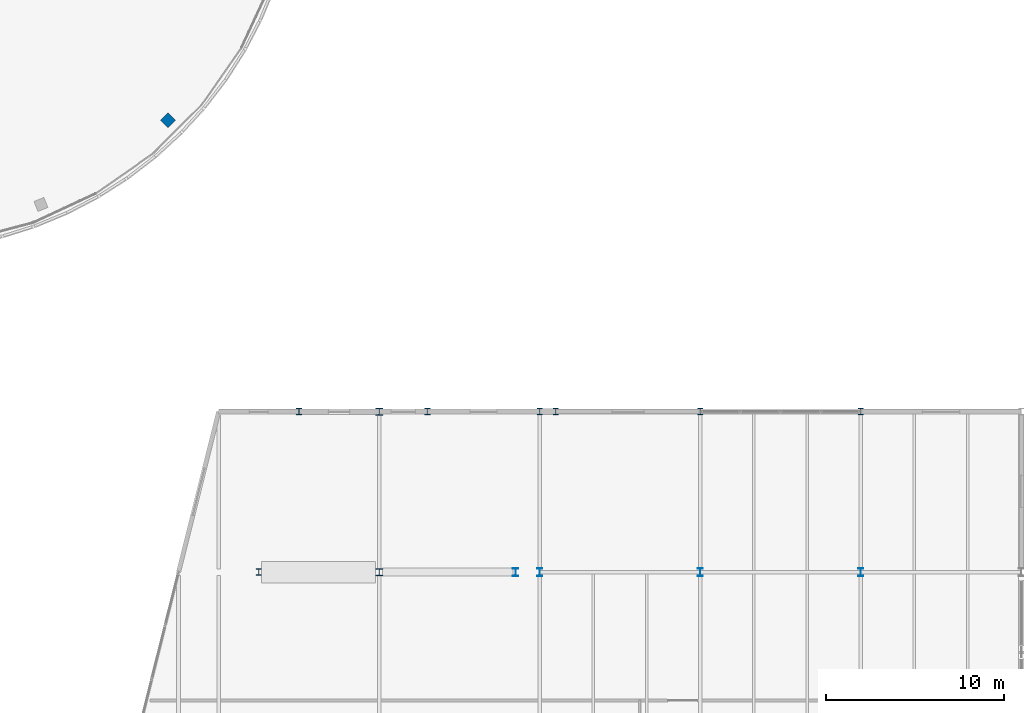
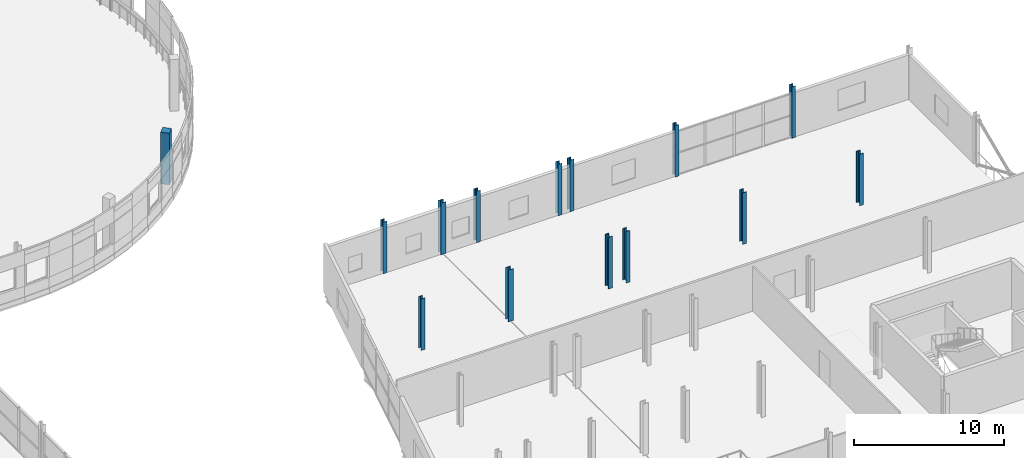
# One storey, part 17 of 132: 14 columns.
"""IFC4 building model written with IfcOpenShell, lengths in metres."""

from ifc_helpers import new_model, si_unit, direction, frame, origin, origin_2d, place, context, subcontext, project, spatial, rectangle, i_section, extrude, material, material_profile, profile_set, type_object, element, save


model = new_model("IFC4")

# Units and contexts
model_context = context("Model", 3, precision=1e-05, world=origin(), true_north=direction((0.0, 1.0)))
body_context = subcontext(model_context, "Body", "Model", "MODEL_VIEW")
ifc_project = project(units=[si_unit("LENGTHUNIT", "METRE"), si_unit("AREAUNIT", "SQUARE_METRE"), si_unit("VOLUMEUNIT", "CUBIC_METRE"), si_unit("PLANEANGLEUNIT", "RADIAN"), si_unit("MASSUNIT", "GRAM", prefix="KILO")], contexts=[model_context])

# Site, building, storey
site_placement = place(None, origin())
site = spatial("IfcSite", under=ifc_project, at=site_placement, CompositionType="ELEMENT")
building_placement = place(site_placement, origin())
building = spatial("IfcBuilding", under=site, at=building_placement, Name="Deido Ridge Mobility Hub", CompositionType="ELEMENT")
storey_placement = place(building_placement, frame((0.0, 0.0, 8.39990234375)))
storey = spatial("IfcBuildingStorey", under=building, at=storey_placement, Name="L02", CompositionType="ELEMENT", Elevation=8.39990234375)

# Columns
ifc_material_1 = material(Name="Steel S355J2 EN 10025-2", Category="steel")
ifc_material_profile_1 = material_profile(ifc_material_1, i_section(OverallWidth=0.39892578125, OverallDepth=0.39306640625, WebThickness=0.017578125, FlangeThickness=0.028076171875, FilletRadius=0.014892578125, at=origin_2d()), Name="HD 400x287")
ifc_profile_set_1 = profile_set([ifc_material_profile_1], Name="Steel S355J2 EN 10025-2")
column_type_1 = type_object("IfcColumnType", Name="COL-HD400-287", PredefinedType="COLUMN", material=ifc_profile_set_1)
for number, where, z_axis, x_axis, name in (
    (1, (144.0, 63.0, 0.0), (0.0, 0.0, 1.0), (1.0, 0.0, 0.0), "Structural column C2"),
    (2, (144.0, 72.0, 0.0), (0.0, 0.0, 1.0), (1.0, 0.0, 0.0), "Structural column C2"),
):
    element("IfcColumn", number, at=place(storey_placement, frame(where, z_axis=z_axis, x_axis=x_axis)), inside=storey, type_object=column_type_1, Name=name, PredefinedType="COLUMN", context=body_context, shape_type="SweptSolid", body=[
        extrude(i_section(OverallWidth=0.39892578125, OverallDepth=0.39306640625, WebThickness=0.017578125, FlangeThickness=0.028076171875, FilletRadius=0.014892578125, at=origin_2d()), origin(), (0.0, 0.0, 1.0), 4.2001953125),
    ])
ifc_material_profile_2 = material_profile(ifc_material_1, i_section(OverallWidth=0.300048828125, OverallDepth=0.360107421875, WebThickness=0.012451171875, FlangeThickness=0.0224609375, FilletRadius=0.027099609375, at=origin_2d()), Name="HEB 360")
ifc_profile_set_2 = profile_set([ifc_material_profile_2], Name="Steel S355J2 EN 10025-2")
column_type_2 = type_object("IfcColumnType", Name="COL-HEB360", PredefinedType="COLUMN", material=ifc_profile_set_2)
for number, where, z_axis, x_axis, name in (
    (3, (137.25, 63.0, 0.0), (0.0, 0.0, 1.0), (1.0, 0.0, 0.0), "Structural column C8"),
    (4, (139.5, 72.0, 0.0), (0.0, 0.0, 1.0), (1.0, 0.0, 0.0), "Structural column C8"),
    (5, (146.699951171875, 72.0, 0.0), (0.0, 0.0, 1.0), (1.0, 0.0, 0.0), "Structural column C8"),
    (6, (153.0, 72.0, 0.0), (0.0, 0.0, 1.0), (1.0, 0.0, 0.0), "Structural column C8"),
    (7, (153.89990234375, 72.0, 0.0), (0.0, 0.0, 1.0), (1.0, 0.0, 0.0), "Structural column C8"),
    (8, (162.0, 72.0, 0.0), (0.0, 0.0, 1.0), (1.0, 0.0, 0.0), "Structural column C8"),
    (9, (171.0, 72.0, 0.0), (0.0, 0.0, 1.0), (1.0, 0.0, 0.0), "Structural column C8"),
):
    element("IfcColumn", number, at=place(storey_placement, frame(where, z_axis=z_axis, x_axis=x_axis)), inside=storey, type_object=column_type_2, Name=name, PredefinedType="COLUMN", context=body_context, shape_type="SweptSolid", body=[
        extrude(i_section(OverallWidth=0.300048828125, OverallDepth=0.360107421875, WebThickness=0.012451171875, FlangeThickness=0.0224609375, FilletRadius=0.027099609375, at=origin_2d()), origin(), (0.0, 0.0, 1.0), 4.2001953125),
    ])
ifc_material_profile_3 = material_profile(ifc_material_1, i_section(OverallWidth=0.300048828125, OverallDepth=0.449951171875, WebThickness=0.013916015625, FlangeThickness=0.02587890625, FilletRadius=0.027099609375, at=origin_2d()), Name="HEB 450")
ifc_profile_set_3 = profile_set([ifc_material_profile_3], Name="Steel S355J2 EN 10025-2")
column_type_3 = type_object("IfcColumnType", Name="COL-HEB450", PredefinedType="COLUMN", material=ifc_profile_set_3)
for number, where, z_axis, x_axis, name in (
    (10, (151.64990234375, 63.0, 0.0), (0.0, 0.0, 1.0), (1.0, 0.0, 0.0), "Structural column C6"),
    (11, (153.0, 63.0, 0.0), (0.0, 0.0, 1.0), (1.0, 0.0, 0.0), "Structural column C6"),
    (12, (162.0, 63.0, 0.0), (0.0, 0.0, 1.0), (1.0, 0.0, 0.0), "Structural column C6"),
    (13, (171.0, 63.0, 0.0), (0.0, 0.0, 1.0), (1.0, 0.0, 0.0), "Structural column C6"),
):
    element("IfcColumn", number, at=place(storey_placement, frame(where, z_axis=z_axis, x_axis=x_axis)), inside=storey, type_object=column_type_3, Name=name, PredefinedType="COLUMN", context=body_context, shape_type="SweptSolid", body=[
        extrude(i_section(OverallWidth=0.300048828125, OverallDepth=0.449951171875, WebThickness=0.013916015625, FlangeThickness=0.02587890625, FilletRadius=0.027099609375, at=origin_2d()), origin(), (0.0, 0.0, 1.0), 4.2001953125),
    ])
ifc_material_2 = material(Name="Concrete C40/50", Category="concrete")
ifc_material_profile_4 = material_profile(ifc_material_2, rectangle(XDim=0.60009765625, YDim=0.60009765625, at=origin_2d()), Name="RC COL 600x600")
ifc_profile_set_4 = profile_set([ifc_material_profile_4], Name="Concrete C40/50")
column_type_4 = type_object("IfcColumnType", Name="COL-RC600", PredefinedType="COLUMN", material=ifc_profile_set_4)
column_placement = place(storey_placement, frame((132.16748046875, 88.33251953125, 0.0), z_axis=(0.0, 0.0, 1.0), x_axis=(0.707106781187, -0.707106781187, 0.0)))
element("IfcColumn", 14, at=column_placement, inside=storey, type_object=column_type_4, Name="Structural column RC2", PredefinedType="COLUMN", context=body_context, shape_type="SweptSolid", body=[
    extrude(rectangle(XDim=0.60009765625, YDim=0.60009765625, at=origin_2d()), origin(), (0.0, 0.0, 1.0), 4.2001953125),
])

save(model, "model.ifc")
